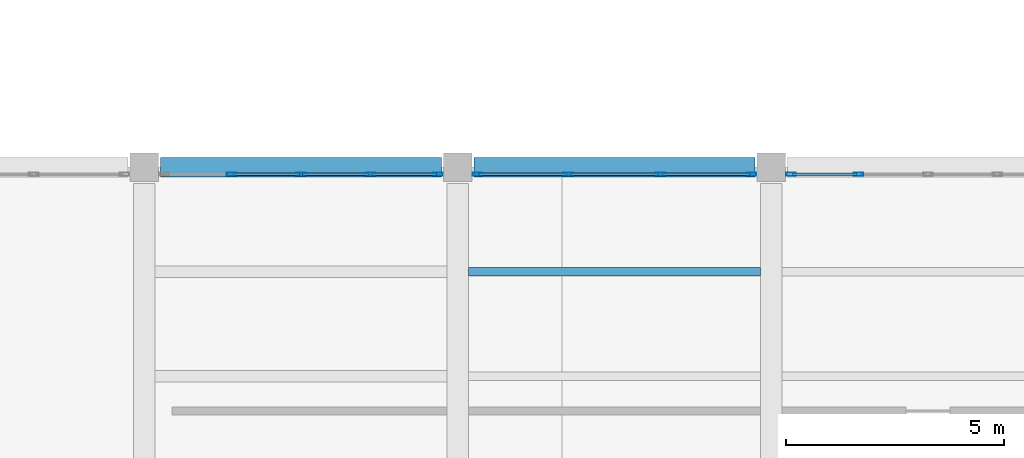
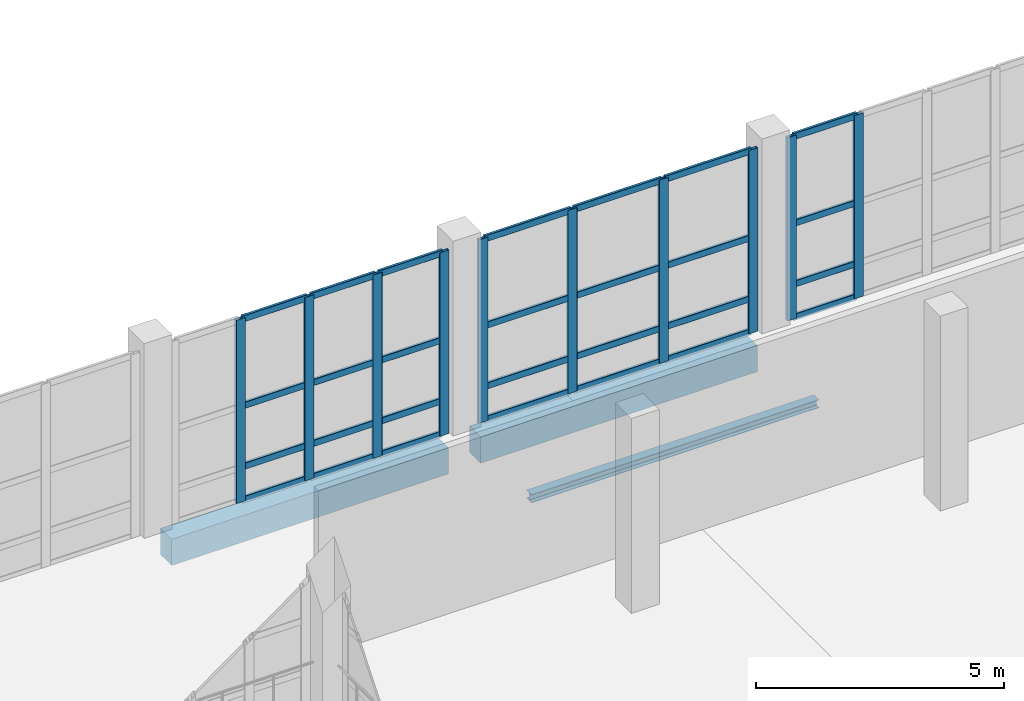
# One storey, part 37 of 127: 38 members, 3 beams, 3 elements without a shape of their own.
"""IFC4 building model written with IfcOpenShell, lengths in metres."""

from ifc_helpers import new_model, si_unit, direction, frame, origin, origin_2d, place, context, subcontext, project, spatial, rectangle, hollow_rectangle, i_section, extrude, material, material_profile, profile_set, type_object, element, aggregate, save


model = new_model("IFC4")

# Units and contexts
model_context = context("Model", 3, precision=1e-05, world=origin(), true_north=direction((0.0, 1.0)))
body_context = subcontext(model_context, "Body", "Model", "MODEL_VIEW")
ifc_project = project(units=[si_unit("LENGTHUNIT", "METRE"), si_unit("AREAUNIT", "SQUARE_METRE"), si_unit("VOLUMEUNIT", "CUBIC_METRE"), si_unit("PLANEANGLEUNIT", "RADIAN"), si_unit("MASSUNIT", "GRAM", prefix="KILO")], contexts=[model_context])

# Site, building, storey
site_placement = place(None, origin())
site = spatial("IfcSite", under=ifc_project, at=site_placement, CompositionType="ELEMENT")
building_placement = place(site_placement, origin())
building = spatial("IfcBuilding", under=site, at=building_placement, Name="Kalmorath City Hall", CompositionType="ELEMENT")
storey_placement = place(building_placement, frame((0.0, 0.0, 5.39990234375)))
storey = spatial("IfcBuildingStorey", under=building, at=storey_placement, Name="L01", CompositionType="ELEMENT", Elevation=5.39990234375)

# Beams
ifc_material_1 = material(Name="Concrete C40/50", Category="concrete")
ifc_material_profile_1 = material_profile(ifc_material_1, rectangle(XDim=0.449951171875, YDim=0.64990234375, at=origin_2d()), Name="RC-BM-450X650")
ifc_profile_set_1 = profile_set([ifc_material_profile_1], Name="Concrete C40/50")
beam_type_1 = type_object("IfcBeamType", Name="Concrete spandrel beam 450x650", PredefinedType="SPANDREL", material=ifc_profile_set_1)
beam_1_placement = place(storey_placement, frame((79.574951171875, 43.199951171875, -0.64892578125), z_axis=(1.0, 0.0, 0.0), x_axis=(0.0, 1.0, 0.0)))
element("IfcBeam", 1, at=beam_1_placement, inside=storey, type_object=beam_type_1, Name="L01 girder CB5 X12-13/7", PredefinedType="SPANDREL", context=body_context, shape_type="SweptSolid", body=[
    extrude(rectangle(XDim=0.449951171875, YDim=0.64990234375, at=origin_2d()), origin(), (0.0, 0.0, 1.0), 6.449951171875),
])
beam_2_placement = place(storey_placement, frame((86.77490234375, 43.199951171875, -0.64892578125), z_axis=(1.0, 0.0, 0.0), x_axis=(0.0, 1.0, 0.0)))
element("IfcBeam", 2, at=beam_2_placement, inside=storey, type_object=beam_type_1, Name="L01 girder CB5 X13-14/7", PredefinedType="SPANDREL", context=body_context, shape_type="SweptSolid", body=[
    extrude(rectangle(XDim=0.449951171875, YDim=0.64990234375, at=origin_2d()), origin(), (0.0, 0.0, 1.0), 6.4501953125),
])

# Curtain wall, members
ifc_material_2 = material(Name="Anodised aluminium and laminated glass", Category="aluminium")
curtain_wall_type_1 = type_object("IfcCurtainWallType", Name="Unitised hurricane curtain wall 6370x4520 M1500", PredefinedType="NOTDEFINED", material=ifc_material_2)
curtain_wall_1_placement = place(storey_placement, origin())
curtain_wall_1 = element("IfcCurtainWall", 3, at=curtain_wall_1_placement, inside=storey, type_object=curtain_wall_type_1, Name="L01 curtain wall CW-64X45M15 #88", PredefinedType="NOTDEFINED")
ifc_material_3 = material(Name="Anodised aluminium framing", Category="aluminium")
ifc_material_profile_2 = material_profile(ifc_material_3, hollow_rectangle(XDim=0.074951171875, YDim=0.219970703125, WallThickness=0.00390625, InnerFilletRadius=0.00390625, OuterFilletRadius=0.008056640625, at=origin_2d()), Name="ALU-MUL-220X75X4")
ifc_profile_set_2 = profile_set([ifc_material_profile_2], Name="Anodised aluminium framing")
member_type_1 = type_object("IfcMemberType", Name="Curtain-wall primary mullion 220x75", PredefinedType="MULLION", material=ifc_profile_set_2)
member_1_placement = place(storey_placement, frame((81.20751953125, 43.0400390625, 0.0), z_axis=(0.0, 0.0, 1.0), x_axis=(0.0, 1.0, 0.0)))
member_1 = element("IfcMember", 4, at=member_1_placement, type_object=member_type_1, Name="CW-64X45M15 mullion 2", PredefinedType="MULLION", context=body_context, shape_type="SweptSolid", body=[
    extrude(hollow_rectangle(XDim=0.074951171875, YDim=0.219970703125, WallThickness=0.00390625, InnerFilletRadius=0.00390625, OuterFilletRadius=0.008056640625, at=origin_2d()), origin(), (0.0, 0.0, 1.0), 4.52001953125),
])
member_2_placement = place(storey_placement, frame((82.800048828125, 43.0400390625, 0.0), z_axis=(0.0, 0.0, 1.0), x_axis=(0.0, 1.0, 0.0)))
member_2 = element("IfcMember", 5, at=member_2_placement, type_object=member_type_1, Name="CW-64X45M15 mullion 3", PredefinedType="MULLION", context=body_context, shape_type="SweptSolid", body=[
    extrude(hollow_rectangle(XDim=0.074951171875, YDim=0.219970703125, WallThickness=0.00390625, InnerFilletRadius=0.00390625, OuterFilletRadius=0.008056640625, at=origin_2d()), origin(), (0.0, 0.0, 1.0), 4.52001953125),
])
member_3_placement = place(storey_placement, frame((84.392578125, 43.0400390625, 0.0), z_axis=(0.0, 0.0, 1.0), x_axis=(0.0, 1.0, 0.0)))
member_3 = element("IfcMember", 6, at=member_3_placement, type_object=member_type_1, Name="CW-64X45M15 mullion 4", PredefinedType="MULLION", context=body_context, shape_type="SweptSolid", body=[
    extrude(hollow_rectangle(XDim=0.074951171875, YDim=0.219970703125, WallThickness=0.00390625, InnerFilletRadius=0.00390625, OuterFilletRadius=0.008056640625, at=origin_2d()), origin(), (0.0, 0.0, 1.0), 4.52001953125),
])
member_4_placement = place(storey_placement, frame((85.947509765625, 43.0400390625, 0.0), z_axis=(0.0, 0.0, 1.0), x_axis=(0.0, 1.0, 0.0)))
member_4 = element("IfcMember", 7, at=member_4_placement, type_object=member_type_1, Name="CW-64X45M15 mullion 5", PredefinedType="MULLION", context=body_context, shape_type="SweptSolid", body=[
    extrude(hollow_rectangle(XDim=0.074951171875, YDim=0.219970703125, WallThickness=0.00390625, InnerFilletRadius=0.00390625, OuterFilletRadius=0.008056640625, at=origin_2d()), origin(), (0.0, 0.0, 1.0), 4.52001953125),
])

ifc_material_4 = material(Name="Anodised aluminium and laminated glass", Category="aluminium")
curtain_wall_type_2 = type_object("IfcCurtainWallType", Name="Unitised hurricane curtain wall 6370x4520 M2100", PredefinedType="NOTDEFINED", material=ifc_material_4)
curtain_wall_2_placement = place(storey_placement, origin())
curtain_wall_2 = element("IfcCurtainWall", 8, at=curtain_wall_2_placement, inside=storey, type_object=curtain_wall_type_2, Name="L01 curtain wall CW-64X45M21 #89", PredefinedType="NOTDEFINED")
member_5_placement = place(storey_placement, frame((86.8525390625, 43.0400390625, 0.0), z_axis=(0.0, 0.0, 1.0), x_axis=(0.0, 1.0, 0.0)))
member_5 = element("IfcMember", 9, at=member_5_placement, type_object=member_type_1, Name="CW-64X45M21 mullion 1", PredefinedType="MULLION", context=body_context, shape_type="SweptSolid", body=[
    extrude(hollow_rectangle(XDim=0.074951171875, YDim=0.219970703125, WallThickness=0.00390625, InnerFilletRadius=0.00390625, OuterFilletRadius=0.008056640625, at=origin_2d()), origin(), (0.0, 0.0, 1.0), 4.52001953125),
])
member_6_placement = place(storey_placement, frame((88.938232421875, 43.0400390625, 0.0), z_axis=(0.0, 0.0, 1.0), x_axis=(0.0, 1.0, 0.0)))
member_6 = element("IfcMember", 10, at=member_6_placement, type_object=member_type_1, Name="CW-64X45M21 mullion 2", PredefinedType="MULLION", context=body_context, shape_type="SweptSolid", body=[
    extrude(hollow_rectangle(XDim=0.074951171875, YDim=0.219970703125, WallThickness=0.00390625, InnerFilletRadius=0.00390625, OuterFilletRadius=0.008056640625, at=origin_2d()), origin(), (0.0, 0.0, 1.0), 4.52001953125),
])
member_7_placement = place(storey_placement, frame((91.061767578125, 43.0400390625, 0.0), z_axis=(0.0, 0.0, 1.0), x_axis=(0.0, 1.0, 0.0)))
member_7 = element("IfcMember", 11, at=member_7_placement, type_object=member_type_1, Name="CW-64X45M21 mullion 3", PredefinedType="MULLION", context=body_context, shape_type="SweptSolid", body=[
    extrude(hollow_rectangle(XDim=0.074951171875, YDim=0.219970703125, WallThickness=0.00390625, InnerFilletRadius=0.00390625, OuterFilletRadius=0.008056640625, at=origin_2d()), origin(), (0.0, 0.0, 1.0), 4.52001953125),
])
member_8_placement = place(storey_placement, frame((93.1474609375, 43.0400390625, 0.0), z_axis=(0.0, 0.0, 1.0), x_axis=(0.0, 1.0, 0.0)))
member_8 = element("IfcMember", 12, at=member_8_placement, type_object=member_type_1, Name="CW-64X45M21 mullion 4", PredefinedType="MULLION", context=body_context, shape_type="SweptSolid", body=[
    extrude(hollow_rectangle(XDim=0.074951171875, YDim=0.219970703125, WallThickness=0.00390625, InnerFilletRadius=0.00390625, OuterFilletRadius=0.008056640625, at=origin_2d()), origin(), (0.0, 0.0, 1.0), 4.52001953125),
])

curtain_wall_3_placement = place(storey_placement, origin())
curtain_wall_3 = element("IfcCurtainWall", 13, at=curtain_wall_3_placement, inside=storey, type_object=curtain_wall_type_1, Name="L01 curtain wall CW-64X45M15 #90", PredefinedType="NOTDEFINED")
member_9_placement = place(storey_placement, frame((94.052490234375, 43.0400390625, 0.0), z_axis=(0.0, 0.0, 1.0), x_axis=(0.0, 1.0, 0.0)))
member_9 = element("IfcMember", 14, at=member_9_placement, type_object=member_type_1, Name="CW-64X45M15 mullion 1", PredefinedType="MULLION", context=body_context, shape_type="SweptSolid", body=[
    extrude(hollow_rectangle(XDim=0.074951171875, YDim=0.219970703125, WallThickness=0.00390625, InnerFilletRadius=0.00390625, OuterFilletRadius=0.008056640625, at=origin_2d()), origin(), (0.0, 0.0, 1.0), 4.52001953125),
])
member_10_placement = place(storey_placement, frame((95.607421875, 43.0400390625, 0.0), z_axis=(0.0, 0.0, 1.0), x_axis=(0.0, 1.0, 0.0)))
member_10 = element("IfcMember", 15, at=member_10_placement, type_object=member_type_1, Name="CW-64X45M15 mullion 2", PredefinedType="MULLION", context=body_context, shape_type="SweptSolid", body=[
    extrude(hollow_rectangle(XDim=0.074951171875, YDim=0.219970703125, WallThickness=0.00390625, InnerFilletRadius=0.00390625, OuterFilletRadius=0.008056640625, at=origin_2d()), origin(), (0.0, 0.0, 1.0), 4.52001953125),
])

# Member
ifc_material_5 = material(Name="Anodised aluminium framing", Category="aluminium")
ifc_material_profile_3 = material_profile(ifc_material_5, hollow_rectangle(XDim=0.06494140625, YDim=0.159912109375, WallThickness=0.00390625, InnerFilletRadius=0.00390625, OuterFilletRadius=0.008056640625, at=origin_2d()), Name="ALU-TRN-160X65X4")
ifc_profile_set_3 = profile_set([ifc_material_profile_3], Name="Anodised aluminium framing")
member_type_2 = type_object("IfcMemberType", Name="Curtain-wall primary transom 160x65", PredefinedType="USERDEFINED", material=ifc_profile_set_3)
member_11_placement = place(storey_placement, frame((81.2451171875, 43.0400390625, 0.03271484375), z_axis=(1.0, 0.0, 0.0), x_axis=(0.0, 1.0, 0.0)))
member_11 = element("IfcMember", 16, at=member_11_placement, type_object=member_type_2, Name="CW-64X45M15 transom 2.1", ObjectType="TRANSOM", PredefinedType="USERDEFINED", context=body_context, shape_type="SweptSolid", body=[
    extrude(hollow_rectangle(XDim=0.06494140625, YDim=0.159912109375, WallThickness=0.00390625, InnerFilletRadius=0.00390625, OuterFilletRadius=0.008056640625, at=origin_2d()), origin(), (0.0, 0.0, 1.0), 1.517333984375),
])

member_12_placement = place(storey_placement, frame((81.2451171875, 43.0400390625, 0.85009765625), z_axis=(1.0, 0.0, 0.0), x_axis=(0.0, 1.0, 0.0)))
member_12 = element("IfcMember", 17, at=member_12_placement, type_object=member_type_2, Name="CW-64X45M15 transom 2.2", ObjectType="TRANSOM", PredefinedType="USERDEFINED", context=body_context, shape_type="SweptSolid", body=[
    extrude(hollow_rectangle(XDim=0.06494140625, YDim=0.159912109375, WallThickness=0.00390625, InnerFilletRadius=0.00390625, OuterFilletRadius=0.008056640625, at=origin_2d()), origin(), (0.0, 0.0, 1.0), 1.517333984375),
])

member_13_placement = place(storey_placement, frame((81.2451171875, 43.0400390625, 2.35009765625), z_axis=(1.0, 0.0, 0.0), x_axis=(0.0, 1.0, 0.0)))
member_13 = element("IfcMember", 18, at=member_13_placement, type_object=member_type_2, Name="CW-64X45M15 transom 2.3", ObjectType="TRANSOM", PredefinedType="USERDEFINED", context=body_context, shape_type="SweptSolid", body=[
    extrude(hollow_rectangle(XDim=0.06494140625, YDim=0.159912109375, WallThickness=0.00390625, InnerFilletRadius=0.00390625, OuterFilletRadius=0.008056640625, at=origin_2d()), origin(), (0.0, 0.0, 1.0), 1.517333984375),
])

member_14_placement = place(storey_placement, frame((81.2451171875, 43.0400390625, 4.487548828125), z_axis=(1.0, 0.0, 0.0), x_axis=(0.0, 1.0, 0.0)))
member_14 = element("IfcMember", 19, at=member_14_placement, type_object=member_type_2, Name="CW-64X45M15 transom 2.4", ObjectType="TRANSOM", PredefinedType="USERDEFINED", context=body_context, shape_type="SweptSolid", body=[
    extrude(hollow_rectangle(XDim=0.06494140625, YDim=0.159912109375, WallThickness=0.00390625, InnerFilletRadius=0.00390625, OuterFilletRadius=0.008056640625, at=origin_2d()), origin(), (0.0, 0.0, 1.0), 1.517333984375),
])

member_15_placement = place(storey_placement, frame((82.83740234375, 43.0400390625, 0.03271484375), z_axis=(1.0, 0.0, 0.0), x_axis=(0.0, 1.0, 0.0)))
member_15 = element("IfcMember", 20, at=member_15_placement, type_object=member_type_2, Name="CW-64X45M15 transom 3.1", ObjectType="TRANSOM", PredefinedType="USERDEFINED", context=body_context, shape_type="SweptSolid", body=[
    extrude(hollow_rectangle(XDim=0.06494140625, YDim=0.159912109375, WallThickness=0.00390625, InnerFilletRadius=0.00390625, OuterFilletRadius=0.008056640625, at=origin_2d()), origin(), (0.0, 0.0, 1.0), 1.517578125),
])

member_16_placement = place(storey_placement, frame((82.83740234375, 43.0400390625, 0.85009765625), z_axis=(1.0, 0.0, 0.0), x_axis=(0.0, 1.0, 0.0)))
member_16 = element("IfcMember", 21, at=member_16_placement, type_object=member_type_2, Name="CW-64X45M15 transom 3.2", ObjectType="TRANSOM", PredefinedType="USERDEFINED", context=body_context, shape_type="SweptSolid", body=[
    extrude(hollow_rectangle(XDim=0.06494140625, YDim=0.159912109375, WallThickness=0.00390625, InnerFilletRadius=0.00390625, OuterFilletRadius=0.008056640625, at=origin_2d()), origin(), (0.0, 0.0, 1.0), 1.517578125),
])

member_17_placement = place(storey_placement, frame((82.83740234375, 43.0400390625, 2.35009765625), z_axis=(1.0, 0.0, 0.0), x_axis=(0.0, 1.0, 0.0)))
member_17 = element("IfcMember", 22, at=member_17_placement, type_object=member_type_2, Name="CW-64X45M15 transom 3.3", ObjectType="TRANSOM", PredefinedType="USERDEFINED", context=body_context, shape_type="SweptSolid", body=[
    extrude(hollow_rectangle(XDim=0.06494140625, YDim=0.159912109375, WallThickness=0.00390625, InnerFilletRadius=0.00390625, OuterFilletRadius=0.008056640625, at=origin_2d()), origin(), (0.0, 0.0, 1.0), 1.517578125),
])

member_18_placement = place(storey_placement, frame((82.83740234375, 43.0400390625, 4.487548828125), z_axis=(1.0, 0.0, 0.0), x_axis=(0.0, 1.0, 0.0)))
member_18 = element("IfcMember", 23, at=member_18_placement, type_object=member_type_2, Name="CW-64X45M15 transom 3.4", ObjectType="TRANSOM", PredefinedType="USERDEFINED", context=body_context, shape_type="SweptSolid", body=[
    extrude(hollow_rectangle(XDim=0.06494140625, YDim=0.159912109375, WallThickness=0.00390625, InnerFilletRadius=0.00390625, OuterFilletRadius=0.008056640625, at=origin_2d()), origin(), (0.0, 0.0, 1.0), 1.517578125),
])

member_19_placement = place(storey_placement, frame((84.429931640625, 43.0400390625, 0.03271484375), z_axis=(1.0, 0.0, 0.0), x_axis=(0.0, 1.0, 0.0)))
member_19 = element("IfcMember", 24, at=member_19_placement, type_object=member_type_2, Name="CW-64X45M15 transom 4.1", ObjectType="TRANSOM", PredefinedType="USERDEFINED", context=body_context, shape_type="SweptSolid", body=[
    extrude(hollow_rectangle(XDim=0.06494140625, YDim=0.159912109375, WallThickness=0.00390625, InnerFilletRadius=0.00390625, OuterFilletRadius=0.008056640625, at=origin_2d()), origin(), (0.0, 0.0, 1.0), 1.47998046875),
])

member_20_placement = place(storey_placement, frame((84.429931640625, 43.0400390625, 0.85009765625), z_axis=(1.0, 0.0, 0.0), x_axis=(0.0, 1.0, 0.0)))
member_20 = element("IfcMember", 25, at=member_20_placement, type_object=member_type_2, Name="CW-64X45M15 transom 4.2", ObjectType="TRANSOM", PredefinedType="USERDEFINED", context=body_context, shape_type="SweptSolid", body=[
    extrude(hollow_rectangle(XDim=0.06494140625, YDim=0.159912109375, WallThickness=0.00390625, InnerFilletRadius=0.00390625, OuterFilletRadius=0.008056640625, at=origin_2d()), origin(), (0.0, 0.0, 1.0), 1.47998046875),
])

member_21_placement = place(storey_placement, frame((84.429931640625, 43.0400390625, 2.35009765625), z_axis=(1.0, 0.0, 0.0), x_axis=(0.0, 1.0, 0.0)))
member_21 = element("IfcMember", 26, at=member_21_placement, type_object=member_type_2, Name="CW-64X45M15 transom 4.3", ObjectType="TRANSOM", PredefinedType="USERDEFINED", context=body_context, shape_type="SweptSolid", body=[
    extrude(hollow_rectangle(XDim=0.06494140625, YDim=0.159912109375, WallThickness=0.00390625, InnerFilletRadius=0.00390625, OuterFilletRadius=0.008056640625, at=origin_2d()), origin(), (0.0, 0.0, 1.0), 1.47998046875),
])

member_22_placement = place(storey_placement, frame((84.429931640625, 43.0400390625, 4.487548828125), z_axis=(1.0, 0.0, 0.0), x_axis=(0.0, 1.0, 0.0)))
member_22 = element("IfcMember", 27, at=member_22_placement, type_object=member_type_2, Name="CW-64X45M15 transom 4.4", ObjectType="TRANSOM", PredefinedType="USERDEFINED", context=body_context, shape_type="SweptSolid", body=[
    extrude(hollow_rectangle(XDim=0.06494140625, YDim=0.159912109375, WallThickness=0.00390625, InnerFilletRadius=0.00390625, OuterFilletRadius=0.008056640625, at=origin_2d()), origin(), (0.0, 0.0, 1.0), 1.47998046875),
])

aggregate(curtain_wall_1, [member_1, member_2, member_3, member_4, member_11, member_12, member_13, member_14, member_15, member_16, member_17, member_18, member_19, member_20, member_21, member_22])

member_23_placement = place(storey_placement, frame((86.889892578125, 43.0400390625, 0.03271484375), z_axis=(1.0, 0.0, 0.0), x_axis=(0.0, 1.0, 0.0)))
member_23 = element("IfcMember", 28, at=member_23_placement, type_object=member_type_2, Name="CW-64X45M21 transom 1.1", ObjectType="TRANSOM", PredefinedType="USERDEFINED", context=body_context, shape_type="SweptSolid", body=[
    extrude(hollow_rectangle(XDim=0.06494140625, YDim=0.159912109375, WallThickness=0.00390625, InnerFilletRadius=0.00390625, OuterFilletRadius=0.008056640625, at=origin_2d()), origin(), (0.0, 0.0, 1.0), 2.010986328125),
])

member_24_placement = place(storey_placement, frame((86.889892578125, 43.0400390625, 0.85009765625), z_axis=(1.0, 0.0, 0.0), x_axis=(0.0, 1.0, 0.0)))
member_24 = element("IfcMember", 29, at=member_24_placement, type_object=member_type_2, Name="CW-64X45M21 transom 1.2", ObjectType="TRANSOM", PredefinedType="USERDEFINED", context=body_context, shape_type="SweptSolid", body=[
    extrude(hollow_rectangle(XDim=0.06494140625, YDim=0.159912109375, WallThickness=0.00390625, InnerFilletRadius=0.00390625, OuterFilletRadius=0.008056640625, at=origin_2d()), origin(), (0.0, 0.0, 1.0), 2.010986328125),
])

member_25_placement = place(storey_placement, frame((86.889892578125, 43.0400390625, 2.35009765625), z_axis=(1.0, 0.0, 0.0), x_axis=(0.0, 1.0, 0.0)))
member_25 = element("IfcMember", 30, at=member_25_placement, type_object=member_type_2, Name="CW-64X45M21 transom 1.3", ObjectType="TRANSOM", PredefinedType="USERDEFINED", context=body_context, shape_type="SweptSolid", body=[
    extrude(hollow_rectangle(XDim=0.06494140625, YDim=0.159912109375, WallThickness=0.00390625, InnerFilletRadius=0.00390625, OuterFilletRadius=0.008056640625, at=origin_2d()), origin(), (0.0, 0.0, 1.0), 2.010986328125),
])

member_26_placement = place(storey_placement, frame((86.889892578125, 43.0400390625, 4.487548828125), z_axis=(1.0, 0.0, 0.0), x_axis=(0.0, 1.0, 0.0)))
member_26 = element("IfcMember", 31, at=member_26_placement, type_object=member_type_2, Name="CW-64X45M21 transom 1.4", ObjectType="TRANSOM", PredefinedType="USERDEFINED", context=body_context, shape_type="SweptSolid", body=[
    extrude(hollow_rectangle(XDim=0.06494140625, YDim=0.159912109375, WallThickness=0.00390625, InnerFilletRadius=0.00390625, OuterFilletRadius=0.008056640625, at=origin_2d()), origin(), (0.0, 0.0, 1.0), 2.010986328125),
])

member_27_placement = place(storey_placement, frame((88.975830078125, 43.0400390625, 0.03271484375), z_axis=(1.0, 0.0, 0.0), x_axis=(0.0, 1.0, 0.0)))
member_27 = element("IfcMember", 32, at=member_27_placement, type_object=member_type_2, Name="CW-64X45M21 transom 2.1", ObjectType="TRANSOM", PredefinedType="USERDEFINED", context=body_context, shape_type="SweptSolid", body=[
    extrude(hollow_rectangle(XDim=0.06494140625, YDim=0.159912109375, WallThickness=0.00390625, InnerFilletRadius=0.00390625, OuterFilletRadius=0.008056640625, at=origin_2d()), origin(), (0.0, 0.0, 1.0), 2.04833984375),
])

member_28_placement = place(storey_placement, frame((88.975830078125, 43.0400390625, 0.85009765625), z_axis=(1.0, 0.0, 0.0), x_axis=(0.0, 1.0, 0.0)))
member_28 = element("IfcMember", 33, at=member_28_placement, type_object=member_type_2, Name="CW-64X45M21 transom 2.2", ObjectType="TRANSOM", PredefinedType="USERDEFINED", context=body_context, shape_type="SweptSolid", body=[
    extrude(hollow_rectangle(XDim=0.06494140625, YDim=0.159912109375, WallThickness=0.00390625, InnerFilletRadius=0.00390625, OuterFilletRadius=0.008056640625, at=origin_2d()), origin(), (0.0, 0.0, 1.0), 2.04833984375),
])

member_29_placement = place(storey_placement, frame((88.975830078125, 43.0400390625, 2.35009765625), z_axis=(1.0, 0.0, 0.0), x_axis=(0.0, 1.0, 0.0)))
member_29 = element("IfcMember", 34, at=member_29_placement, type_object=member_type_2, Name="CW-64X45M21 transom 2.3", ObjectType="TRANSOM", PredefinedType="USERDEFINED", context=body_context, shape_type="SweptSolid", body=[
    extrude(hollow_rectangle(XDim=0.06494140625, YDim=0.159912109375, WallThickness=0.00390625, InnerFilletRadius=0.00390625, OuterFilletRadius=0.008056640625, at=origin_2d()), origin(), (0.0, 0.0, 1.0), 2.04833984375),
])

member_30_placement = place(storey_placement, frame((88.975830078125, 43.0400390625, 4.487548828125), z_axis=(1.0, 0.0, 0.0), x_axis=(0.0, 1.0, 0.0)))
member_30 = element("IfcMember", 35, at=member_30_placement, type_object=member_type_2, Name="CW-64X45M21 transom 2.4", ObjectType="TRANSOM", PredefinedType="USERDEFINED", context=body_context, shape_type="SweptSolid", body=[
    extrude(hollow_rectangle(XDim=0.06494140625, YDim=0.159912109375, WallThickness=0.00390625, InnerFilletRadius=0.00390625, OuterFilletRadius=0.008056640625, at=origin_2d()), origin(), (0.0, 0.0, 1.0), 2.04833984375),
])

member_31_placement = place(storey_placement, frame((91.09912109375, 43.0400390625, 0.03271484375), z_axis=(1.0, 0.0, 0.0), x_axis=(0.0, 1.0, 0.0)))
member_31 = element("IfcMember", 36, at=member_31_placement, type_object=member_type_2, Name="CW-64X45M21 transom 3.1", ObjectType="TRANSOM", PredefinedType="USERDEFINED", context=body_context, shape_type="SweptSolid", body=[
    extrude(hollow_rectangle(XDim=0.06494140625, YDim=0.159912109375, WallThickness=0.00390625, InnerFilletRadius=0.00390625, OuterFilletRadius=0.008056640625, at=origin_2d()), origin(), (0.0, 0.0, 1.0), 2.010986328125),
])

member_32_placement = place(storey_placement, frame((91.09912109375, 43.0400390625, 0.85009765625), z_axis=(1.0, 0.0, 0.0), x_axis=(0.0, 1.0, 0.0)))
member_32 = element("IfcMember", 37, at=member_32_placement, type_object=member_type_2, Name="CW-64X45M21 transom 3.2", ObjectType="TRANSOM", PredefinedType="USERDEFINED", context=body_context, shape_type="SweptSolid", body=[
    extrude(hollow_rectangle(XDim=0.06494140625, YDim=0.159912109375, WallThickness=0.00390625, InnerFilletRadius=0.00390625, OuterFilletRadius=0.008056640625, at=origin_2d()), origin(), (0.0, 0.0, 1.0), 2.010986328125),
])

member_33_placement = place(storey_placement, frame((91.09912109375, 43.0400390625, 2.35009765625), z_axis=(1.0, 0.0, 0.0), x_axis=(0.0, 1.0, 0.0)))
member_33 = element("IfcMember", 38, at=member_33_placement, type_object=member_type_2, Name="CW-64X45M21 transom 3.3", ObjectType="TRANSOM", PredefinedType="USERDEFINED", context=body_context, shape_type="SweptSolid", body=[
    extrude(hollow_rectangle(XDim=0.06494140625, YDim=0.159912109375, WallThickness=0.00390625, InnerFilletRadius=0.00390625, OuterFilletRadius=0.008056640625, at=origin_2d()), origin(), (0.0, 0.0, 1.0), 2.010986328125),
])

member_34_placement = place(storey_placement, frame((91.09912109375, 43.0400390625, 4.487548828125), z_axis=(1.0, 0.0, 0.0), x_axis=(0.0, 1.0, 0.0)))
member_34 = element("IfcMember", 39, at=member_34_placement, type_object=member_type_2, Name="CW-64X45M21 transom 3.4", ObjectType="TRANSOM", PredefinedType="USERDEFINED", context=body_context, shape_type="SweptSolid", body=[
    extrude(hollow_rectangle(XDim=0.06494140625, YDim=0.159912109375, WallThickness=0.00390625, InnerFilletRadius=0.00390625, OuterFilletRadius=0.008056640625, at=origin_2d()), origin(), (0.0, 0.0, 1.0), 2.010986328125),
])

aggregate(curtain_wall_2, [member_5, member_6, member_7, member_8, member_23, member_24, member_25, member_26, member_27, member_28, member_29, member_30, member_31, member_32, member_33, member_34])

member_35_placement = place(storey_placement, frame((94.090087890625, 43.0400390625, 0.03271484375), z_axis=(1.0, 0.0, 0.0), x_axis=(0.0, 1.0, 0.0)))
member_35 = element("IfcMember", 40, at=member_35_placement, type_object=member_type_2, Name="CW-64X45M15 transom 1.1", ObjectType="TRANSOM", PredefinedType="USERDEFINED", context=body_context, shape_type="SweptSolid", body=[
    extrude(hollow_rectangle(XDim=0.06494140625, YDim=0.159912109375, WallThickness=0.00390625, InnerFilletRadius=0.00390625, OuterFilletRadius=0.008056640625, at=origin_2d()), origin(), (0.0, 0.0, 1.0), 1.47998046875),
])

member_36_placement = place(storey_placement, frame((94.090087890625, 43.0400390625, 0.85009765625), z_axis=(1.0, 0.0, 0.0), x_axis=(0.0, 1.0, 0.0)))
member_36 = element("IfcMember", 41, at=member_36_placement, type_object=member_type_2, Name="CW-64X45M15 transom 1.2", ObjectType="TRANSOM", PredefinedType="USERDEFINED", context=body_context, shape_type="SweptSolid", body=[
    extrude(hollow_rectangle(XDim=0.06494140625, YDim=0.159912109375, WallThickness=0.00390625, InnerFilletRadius=0.00390625, OuterFilletRadius=0.008056640625, at=origin_2d()), origin(), (0.0, 0.0, 1.0), 1.47998046875),
])

member_37_placement = place(storey_placement, frame((94.090087890625, 43.0400390625, 2.35009765625), z_axis=(1.0, 0.0, 0.0), x_axis=(0.0, 1.0, 0.0)))
member_37 = element("IfcMember", 42, at=member_37_placement, type_object=member_type_2, Name="CW-64X45M15 transom 1.3", ObjectType="TRANSOM", PredefinedType="USERDEFINED", context=body_context, shape_type="SweptSolid", body=[
    extrude(hollow_rectangle(XDim=0.06494140625, YDim=0.159912109375, WallThickness=0.00390625, InnerFilletRadius=0.00390625, OuterFilletRadius=0.008056640625, at=origin_2d()), origin(), (0.0, 0.0, 1.0), 1.47998046875),
])

member_38_placement = place(storey_placement, frame((94.090087890625, 43.0400390625, 4.487548828125), z_axis=(1.0, 0.0, 0.0), x_axis=(0.0, 1.0, 0.0)))
member_38 = element("IfcMember", 43, at=member_38_placement, type_object=member_type_2, Name="CW-64X45M15 transom 1.4", ObjectType="TRANSOM", PredefinedType="USERDEFINED", context=body_context, shape_type="SweptSolid", body=[
    extrude(hollow_rectangle(XDim=0.06494140625, YDim=0.159912109375, WallThickness=0.00390625, InnerFilletRadius=0.00390625, OuterFilletRadius=0.008056640625, at=origin_2d()), origin(), (0.0, 0.0, 1.0), 1.47998046875),
])

aggregate(curtain_wall_3, [member_9, member_10, member_35, member_36, member_37, member_38])

# Beam
ifc_material_6 = material(Name="Steel ASTM A992 Grade 50", Category="steel")
ifc_material_profile_4 = material_profile(ifc_material_6, i_section(OverallWidth=0.202880859375, OverallDepth=0.202880859375, WebThickness=0.007080078125, FlangeThickness=0.010986328125, FilletRadius=0.010986328125, at=origin_2d()), Name="W8X31")
ifc_profile_set_4 = profile_set([ifc_material_profile_4], Name="Steel ASTM A992 Grade 50")
beam_type_2 = type_object("IfcBeamType", Name="Steel edge trimmer W8X31", PredefinedType="LINTEL", material=ifc_profile_set_4)
beam_3_placement = place(storey_placement, frame((86.64990234375, 40.800048828125, -0.42529296875), z_axis=(1.0, 0.0, 0.0), x_axis=(0.0, 1.0, 0.0)))
element("IfcBeam", 44, at=beam_3_placement, inside=storey, type_object=beam_type_2, Name="L01 joist SJ16 13.6.2", PredefinedType="LINTEL", context=body_context, shape_type="SweptSolid", body=[
    extrude(i_section(OverallWidth=0.202880859375, OverallDepth=0.202880859375, WebThickness=0.007080078125, FlangeThickness=0.010986328125, FilletRadius=0.010986328125, at=origin_2d()), origin(), (0.0, 0.0, 1.0), 6.7001953125),
])

save(model, "model.ifc")
